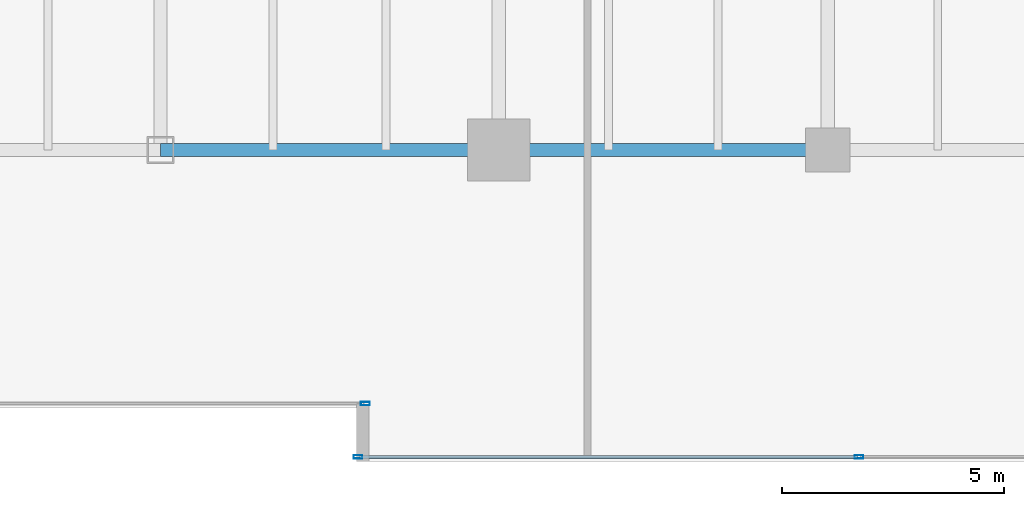
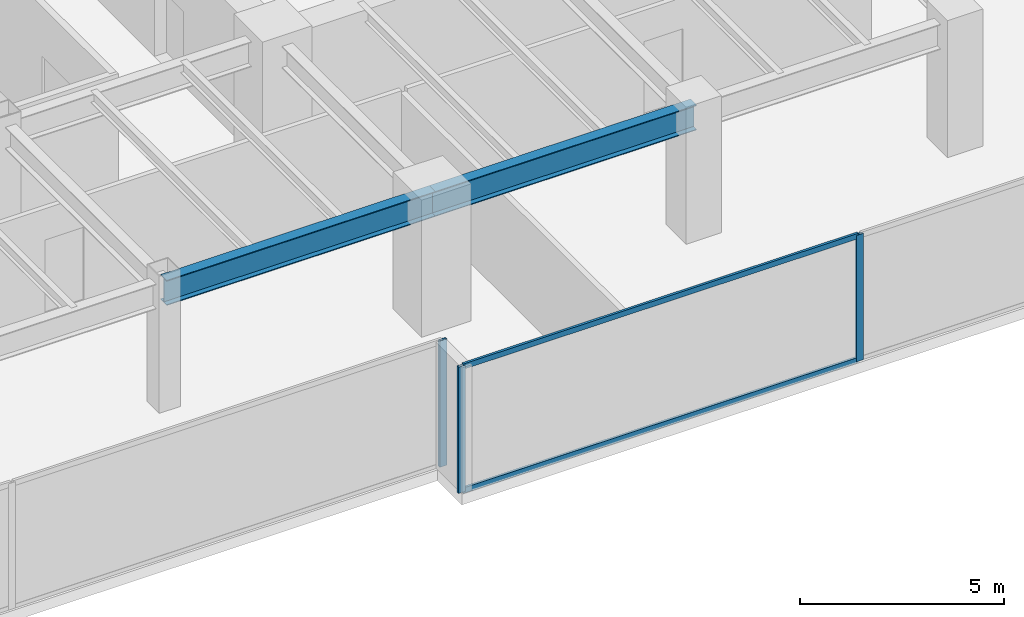
# One storey, part 10 of 35: 5 members, 2 beams, 2 elements without a shape of their own.
"""IFC4 building model written with IfcOpenShell, lengths in metres."""

from ifc_helpers import new_model, si_unit, direction, frame, origin, origin_2d, place, context, subcontext, project, spatial, hollow_rectangle, i_section, extrude, source, transform, mapped, material, layer, layer_set, material_profile, profile_set, type_object, type_shapes, element, aggregate, save


model = new_model("IFC4")

# Units and contexts
model_context = context("Model", 3, precision=1e-05, world=origin(), true_north=direction((0.0, 1.0)))
body_context = subcontext(model_context, "Body", "Model", "MODEL_VIEW")
ifc_project = project(units=[si_unit("LENGTHUNIT", "METRE"), si_unit("AREAUNIT", "SQUARE_METRE"), si_unit("VOLUMEUNIT", "CUBIC_METRE"), si_unit("PLANEANGLEUNIT", "RADIAN"), si_unit("MASSUNIT", "GRAM", prefix="KILO")], contexts=[model_context])

# Site, building, storey
site_placement = place(None, origin())
site = spatial("IfcSite", under=ifc_project, at=site_placement, CompositionType="ELEMENT")
building_placement = place(site_placement, origin())
building = spatial("IfcBuilding", under=site, at=building_placement, Name="Haelvirn Gate Laboratories", CompositionType="ELEMENT")
storey_placement = place(building_placement, frame((0.0, 0.0, 66.199951171875)))
storey = spatial("IfcBuildingStorey", under=building, at=storey_placement, Name="L16", CompositionType="ELEMENT", Elevation=66.199951171875)

# Beams
ifc_material_1 = material(Name="Steel SM355", Category="steel")
ifc_material_profile_1 = material_profile(ifc_material_1, i_section(OverallWidth=0.300048828125, OverallDepth=0.75, WebThickness=0.013916015625, FlangeThickness=0.02392578125, at=origin_2d()), Name="H-750x300x14x24")
ifc_profile_set_1 = profile_set([ifc_material_profile_1], Name="Steel SM355")
beam_type = type_object("IfcBeamType", Name="BM-G-750", PredefinedType="BEAM", material=ifc_profile_set_1)
shared_shape_1 = source(origin(), body_context, "Body", "SweptSolid", [
    extrude(i_section(OverallWidth=0.300048828125, OverallDepth=0.75, WebThickness=0.013916015625, FlangeThickness=0.02392578125, at=origin_2d()), origin(), (0.0, 0.0, 1.0), 7.39990234375),
])
beam_1_placement = place(storey_placement, frame((52.60009765625, 7.0, 3.405029296875), z_axis=(1.0, 0.0, 0.0), x_axis=(0.0, 1.0, 0.0)))
element("IfcBeam", 1, at=beam_1_placement, inside=storey, type_object=beam_type, Name="L16 Primary Girder Y7.0 (52.6-60.0)", PredefinedType="BEAM", context=body_context, shape_type="MappedRepresentation", body=[
    mapped(shared_shape_1, transform((0.0, 0.0, 0.0), scale=1.0)),
])
shared_shape_2 = source(origin(), body_context, "Body", "SweptSolid", [
    extrude(i_section(OverallWidth=0.300048828125, OverallDepth=0.75, WebThickness=0.013916015625, FlangeThickness=0.02392578125, at=origin_2d()), origin(), (0.0, 0.0, 1.0), 7.60009765625),
])
type_shapes(beam_type, [shared_shape_1, shared_shape_2])
beam_2_placement = place(storey_placement, frame((45.0, 7.0, 3.405029296875), z_axis=(1.0, 0.0, 0.0), x_axis=(0.0, 1.0, 0.0)))
element("IfcBeam", 2, at=beam_2_placement, inside=storey, type_object=beam_type, Name="L16 Primary Girder Y7.0 (45.0-52.6)", PredefinedType="BEAM", context=body_context, shape_type="MappedRepresentation", body=[
    mapped(shared_shape_2, transform((0.0, 0.0, 0.0), scale=1.0)),
])

# Curtain wall, member
ifc_material_2 = material(Name="Anodised bronze unitised aluminium & triple low-E glass", Category="aluminium")
ifc_layer = layer(ifc_material_2, 0.18408203125, Name="CW-SYS-2")
ifc_layer_set = layer_set([ifc_layer], Name="Anodised bronze unitised aluminium & triple low-E glass")
curtain_wall_type = type_object("IfcCurtainWallType", Name="CW-SYS-2", PredefinedType="NOTDEFINED", material=ifc_layer_set)
curtain_wall_1_placement = place(storey_placement, origin())
curtain_wall_1 = element("IfcCurtainWall", 3, at=curtain_wall_1_placement, inside=storey, type_object=curtain_wall_type, Name="L16 Unitised Curtain Wall CW-L16-P0-E02-1", PredefinedType="NOTDEFINED")
ifc_material_3 = material(Name="Extruded aluminium 6063-T6 (anodised bronze)", Category="aluminium")
ifc_material_profile_2 = material_profile(ifc_material_3, hollow_rectangle(XDim=0.074951171875, YDim=0.199951171875, WallThickness=0.0048828125, at=origin_2d()), Name="CWM-200x75x5")
ifc_profile_set_2 = profile_set([ifc_material_profile_2], Name="Extruded aluminium 6063-T6 (anodised bronze)")
member_type_1 = type_object("IfcMemberType", Name="CWM-T200", PredefinedType="MULLION", material=ifc_profile_set_2)
shared_shape_3 = source(origin(), body_context, "Body", "SweptSolid", [
    extrude(hollow_rectangle(XDim=0.074951171875, YDim=0.199951171875, WallThickness=0.0048828125, at=origin_2d()), origin(), (0.0, 0.0, 1.0), 3.780029296875),
])
type_shapes(member_type_1, [shared_shape_3])
member_1_placement = place(storey_placement, frame((49.6025390625, 1.300048828125, 0.0), z_axis=(0.0, 0.0, 1.0), x_axis=(0.0, 1.0, 0.0)))
member_1 = element("IfcMember", 4, at=member_1_placement, type_object=member_type_1, Name="CW2 mullion 3", PredefinedType="MULLION", context=body_context, shape_type="MappedRepresentation", body=[
    mapped(shared_shape_3, transform((0.0, 0.0, 0.0), scale=1.0)),
])
aggregate(curtain_wall_1, [member_1])

# Curtain wall, members
curtain_wall_2_placement = place(storey_placement, origin())
curtain_wall_2 = element("IfcCurtainWall", 5, at=curtain_wall_2_placement, inside=storey, type_object=curtain_wall_type, Name="L16 Unitised Curtain Wall CW-L16-P0-E04-1", PredefinedType="NOTDEFINED")
member_2_placement = place(storey_placement, frame((49.4375, 0.10009765625, 0.0), z_axis=(0.0, 0.0, 1.0), x_axis=(0.0, 1.0, 0.0)))
member_2 = element("IfcMember", 6, at=member_2_placement, type_object=member_type_1, Name="CW2 mullion 1", PredefinedType="MULLION", context=body_context, shape_type="MappedRepresentation", body=[
    mapped(shared_shape_3, transform((0.0, 0.0, 0.0), scale=1.0)),
])
member_3_placement = place(storey_placement, frame((60.699951171875, 0.10009765625, 0.0), z_axis=(0.0, 0.0, 1.0), x_axis=(0.0, 1.0, 0.0)))
member_3 = element("IfcMember", 7, at=member_3_placement, type_object=member_type_1, Name="CW2 mullion 2", PredefinedType="MULLION", context=body_context, shape_type="MappedRepresentation", body=[
    mapped(shared_shape_3, transform((0.0, 0.0, 0.0), scale=1.0)),
])
ifc_material_profile_3 = material_profile(ifc_material_3, hollow_rectangle(XDim=0.070068359375, YDim=0.159912109375, WallThickness=0.0048828125, at=origin_2d()), Name="CWT-160x70x5")
ifc_profile_set_3 = profile_set([ifc_material_profile_3], Name="Extruded aluminium 6063-T6 (anodised bronze)")
member_type_2 = type_object("IfcMemberType", Name="CWT-T160", PredefinedType="USERDEFINED", material=ifc_profile_set_3)
shared_shape_4 = source(origin(), body_context, "Body", "SweptSolid", [
    extrude(hollow_rectangle(XDim=0.070068359375, YDim=0.159912109375, WallThickness=0.0048828125, at=origin_2d()), origin(), (0.0, 0.0, 1.0), 11.1875),
])
type_shapes(member_type_2, [shared_shape_4])
member_4_placement = place(storey_placement, frame((49.47509765625, 0.10009765625, 0.03515625), z_axis=(1.0, 0.0, 0.0), x_axis=(0.0, 1.0, 0.0)))
member_4 = element("IfcMember", 8, at=member_4_placement, type_object=member_type_2, Name="CW2 transom 1.1", ObjectType="TRANSOM", PredefinedType="USERDEFINED", context=body_context, shape_type="MappedRepresentation", body=[
    mapped(shared_shape_4, transform((0.0, 0.0, 0.0), scale=1.0)),
])
member_5_placement = place(storey_placement, frame((49.47509765625, 0.10009765625, 3.7451171875), z_axis=(1.0, 0.0, 0.0), x_axis=(0.0, 1.0, 0.0)))
member_5 = element("IfcMember", 9, at=member_5_placement, type_object=member_type_2, Name="CW2 transom 1.2", ObjectType="TRANSOM", PredefinedType="USERDEFINED", context=body_context, shape_type="MappedRepresentation", body=[
    mapped(shared_shape_4, transform((0.0, 0.0, 0.0), scale=1.0)),
])
aggregate(curtain_wall_2, [member_2, member_3, member_4, member_5])

save(model, "model.ifc")
